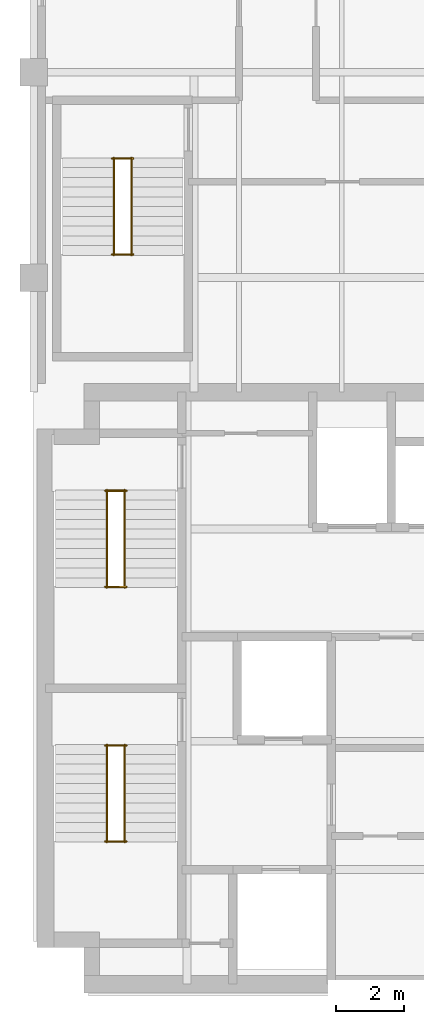
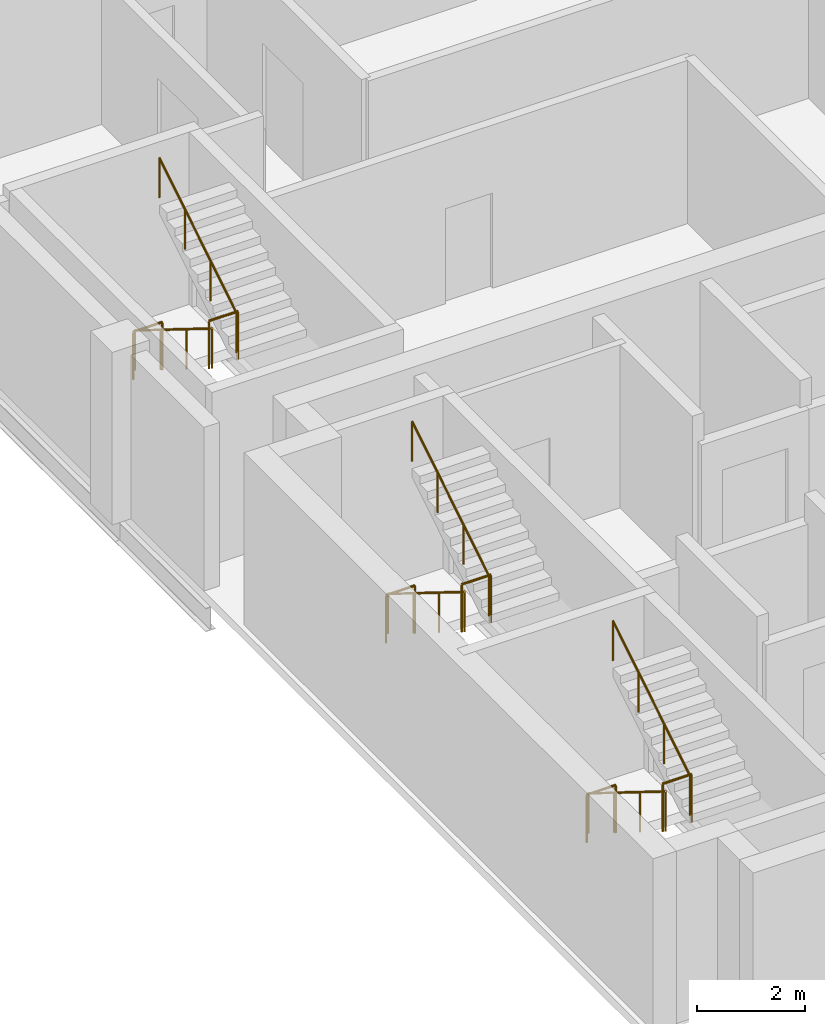
# One storey, part 6 of 6: 12 railings.
"""IFC4 building model written with IfcOpenShell, lengths in metres."""

from ifc_helpers import new_model, si_unit, direction, frame, origin, origin_2d, place, context, subcontext, project, spatial, circle, extrude, material, type_object, element, save


model = new_model("IFC4")

# Units and contexts
model_context = context("Model", 3, precision=1e-05, world=origin(), true_north=direction((0.0, 1.0)))
body_context = subcontext(model_context, "Body", "Model", "MODEL_VIEW")
ifc_project = project(units=[si_unit("LENGTHUNIT", "METRE"), si_unit("AREAUNIT", "SQUARE_METRE"), si_unit("VOLUMEUNIT", "CUBIC_METRE"), si_unit("PLANEANGLEUNIT", "RADIAN"), si_unit("MASSUNIT", "GRAM", prefix="KILO")], contexts=[model_context])

# Site, building, storey
site_placement = place(None, origin())
site = spatial("IfcSite", under=ifc_project, at=site_placement, CompositionType="ELEMENT")
building_placement = place(site_placement, origin())
building = spatial("IfcBuilding", under=site, at=building_placement, Name="Mawjdan Bourse Tower", CompositionType="ELEMENT")
storey_placement = place(building_placement, frame((0.0, 0.0, 243.0)))
storey = spatial("IfcBuildingStorey", under=building, at=storey_placement, Name="L59", CompositionType="ELEMENT", Elevation=243.0)

# Railings
ifc_material_1 = material(Name="Structural Steel S355", Category="steel")
railing_type_1 = type_object("IfcRailingType", Name="RLG-GRD-1100", PredefinedType="GUARDRAIL", material=ifc_material_1)
for number, where, name in (
    (1, (8.090087890625, 7.52001953125, 1.949951171875), "L59 ST1 Landing Guardrail GL-MID"),
    (2, (8.090087890625, 10.330078125, 0.0), "L59 ST1 Landing Guardrail GL-BOT"),
    (3, (8.090087890625, 14.9599609375, 1.949951171875), "L59 ST2 Landing Guardrail GL-MID"),
    (4, (8.090087890625, 17.77001953125, 0.0), "L59 ST2 Landing Guardrail GL-BOT"),
    (5, (8.2900390625, 24.669921875, 1.949951171875), "L59 ST3 Landing Guardrail GL-MID"),
    (6, (8.2900390625, 27.47998046875, 0.0), "L59 ST3 Landing Guardrail GL-BOT"),
):
    element("IfcRailing", number, at=place(storey_placement, frame(where)), inside=storey, type_object=railing_type_1, Name=name, PredefinedType="GUARDRAIL", context=body_context, shape_type="SweptSolid", body=[
        extrude(circle(Radius=0.02490234375, at=origin_2d()), frame((0.0, 0.0, 1.0751953125), z_axis=(1.0, 0.0, 0.0), x_axis=(0.0, 1.0, 0.0)), (0.0, 0.0, 1.0), 0.619873046875),
        extrude(circle(Radius=0.02099609375, at=origin_2d()), origin(), (0.0, 0.0, 1.0), 1.050048828125),
        extrude(circle(Radius=0.02099609375, at=origin_2d()), frame((0.619873046875, 0.0, 0.0)), (0.0, 0.0, 1.0), 1.050048828125),
    ])
ifc_material_2 = material(Name="Brushed Stainless Steel", Category="steel")
railing_type_2 = type_object("IfcRailingType", Name="RLG-HND-920", PredefinedType="HANDRAIL", material=ifc_material_2)
railing_1_placement = place(storey_placement, frame((8.139892578125, 10.35009765625, 0.17724609375)))
element("IfcRailing", 7, at=railing_1_placement, inside=storey, type_object=railing_type_2, Name="L59 ST1 Flight Handrail HR1", PredefinedType="HANDRAIL", context=body_context, shape_type="SweptSolid", body=[
    extrude(circle(Radius=0.0224609375, at=origin_2d()), frame((0.0, 0.0, 0.8974609375), z_axis=(0.0, -0.849148672731, 0.528153890072), x_axis=(1.0, 0.0, 0.0)), (0.0, 0.0, 1.0), 3.3564453125),
    extrude(circle(Radius=0.01904296875, at=origin_2d()), origin(), (0.0, 0.0, 1.0), 0.875),
    extrude(circle(Radius=0.01904296875, at=origin_2d()), frame((0.0, -0.949951171875, 0.5908203125)), (0.0, 0.0, 1.0), 0.875),
    extrude(circle(Radius=0.01904296875, at=origin_2d()), frame((0.0, -1.900146484375, 1.181884765625)), (0.0, 0.0, 1.0), 0.875),
    extrude(circle(Radius=0.01904296875, at=origin_2d()), frame((0.0, -2.85009765625, 1.772705078125)), (0.0, 0.0, 1.0), 0.875),
])
railing_2_placement = place(storey_placement, frame((8.659912109375, 7.5, 2.127197265625)))
element("IfcRailing", 8, at=railing_2_placement, inside=storey, type_object=railing_type_2, Name="L59 ST1 Flight Handrail HR2", PredefinedType="HANDRAIL", context=body_context, shape_type="SweptSolid", body=[
    extrude(circle(Radius=0.0224609375, at=origin_2d()), frame((0.0, 0.0, 0.8974609375), z_axis=(0.0, 0.849148672731, 0.528153890072), x_axis=(-1.0, 0.0, 0.0)), (0.0, 0.0, 1.0), 3.3564453125),
    extrude(circle(Radius=0.01904296875, at=origin_2d()), origin(), (0.0, 0.0, 1.0), 0.875),
    extrude(circle(Radius=0.01904296875, at=origin_2d()), frame((0.0, 0.949951171875, 0.5908203125)), (0.0, 0.0, 1.0), 0.875),
    extrude(circle(Radius=0.01904296875, at=origin_2d()), frame((0.0, 1.900146484375, 1.181884765625)), (0.0, 0.0, 1.0), 0.875),
    extrude(circle(Radius=0.01904296875, at=origin_2d()), frame((0.0, 2.85009765625, 1.772705078125)), (0.0, 0.0, 1.0), 0.875),
])
railing_3_placement = place(storey_placement, frame((8.139892578125, 17.7900390625, 0.17724609375)))
element("IfcRailing", 9, at=railing_3_placement, inside=storey, type_object=railing_type_2, Name="L59 ST2 Flight Handrail HR1", PredefinedType="HANDRAIL", context=body_context, shape_type="SweptSolid", body=[
    extrude(circle(Radius=0.0224609375, at=origin_2d()), frame((0.0, 0.0, 0.8974609375), z_axis=(0.0, -0.849148672731, 0.528153890072), x_axis=(1.0, 0.0, 0.0)), (0.0, 0.0, 1.0), 3.3564453125),
    extrude(circle(Radius=0.01904296875, at=origin_2d()), origin(), (0.0, 0.0, 1.0), 0.875),
    extrude(circle(Radius=0.01904296875, at=origin_2d()), frame((0.0, -0.949951171875, 0.5908203125)), (0.0, 0.0, 1.0), 0.875),
    extrude(circle(Radius=0.01904296875, at=origin_2d()), frame((0.0, -1.900146484375, 1.181884765625)), (0.0, 0.0, 1.0), 0.875),
    extrude(circle(Radius=0.01904296875, at=origin_2d()), frame((0.0, -2.85009765625, 1.772705078125)), (0.0, 0.0, 1.0), 0.875),
])
railing_4_placement = place(storey_placement, frame((8.659912109375, 14.93994140625, 2.127197265625)))
element("IfcRailing", 10, at=railing_4_placement, inside=storey, type_object=railing_type_2, Name="L59 ST2 Flight Handrail HR2", PredefinedType="HANDRAIL", context=body_context, shape_type="SweptSolid", body=[
    extrude(circle(Radius=0.0224609375, at=origin_2d()), frame((0.0, 0.0, 0.8974609375), z_axis=(0.0, 0.849148672731, 0.528153890072), x_axis=(-1.0, 0.0, 0.0)), (0.0, 0.0, 1.0), 3.3564453125),
    extrude(circle(Radius=0.01904296875, at=origin_2d()), origin(), (0.0, 0.0, 1.0), 0.875),
    extrude(circle(Radius=0.01904296875, at=origin_2d()), frame((0.0, 0.949951171875, 0.5908203125)), (0.0, 0.0, 1.0), 0.875),
    extrude(circle(Radius=0.01904296875, at=origin_2d()), frame((0.0, 1.900146484375, 1.181884765625)), (0.0, 0.0, 1.0), 0.875),
    extrude(circle(Radius=0.01904296875, at=origin_2d()), frame((0.0, 2.85009765625, 1.772705078125)), (0.0, 0.0, 1.0), 0.875),
])
railing_5_placement = place(storey_placement, frame((8.340087890625, 27.5, 0.17724609375)))
element("IfcRailing", 11, at=railing_5_placement, inside=storey, type_object=railing_type_2, Name="L59 ST3 Flight Handrail HR1", PredefinedType="HANDRAIL", context=body_context, shape_type="SweptSolid", body=[
    extrude(circle(Radius=0.0224609375, at=origin_2d()), frame((0.0, 0.0, 0.8974609375), z_axis=(0.0, -0.849148672731, 0.528153890072), x_axis=(1.0, 0.0, 0.0)), (0.0, 0.0, 1.0), 3.3564453125),
    extrude(circle(Radius=0.01904296875, at=origin_2d()), origin(), (0.0, 0.0, 1.0), 0.875),
    extrude(circle(Radius=0.01904296875, at=origin_2d()), frame((0.0, -0.949951171875, 0.5908203125)), (0.0, 0.0, 1.0), 0.875),
    extrude(circle(Radius=0.01904296875, at=origin_2d()), frame((0.0, -1.900146484375, 1.181884765625)), (0.0, 0.0, 1.0), 0.875),
    extrude(circle(Radius=0.01904296875, at=origin_2d()), frame((0.0, -2.85009765625, 1.772705078125)), (0.0, 0.0, 1.0), 0.875),
])
railing_6_placement = place(storey_placement, frame((8.860107421875, 24.64990234375, 2.127197265625)))
element("IfcRailing", 12, at=railing_6_placement, inside=storey, type_object=railing_type_2, Name="L59 ST3 Flight Handrail HR2", PredefinedType="HANDRAIL", context=body_context, shape_type="SweptSolid", body=[
    extrude(circle(Radius=0.0224609375, at=origin_2d()), frame((0.0, 0.0, 0.8974609375), z_axis=(0.0, 0.849148672731, 0.528153890072), x_axis=(-1.0, 0.0, 0.0)), (0.0, 0.0, 1.0), 3.3564453125),
    extrude(circle(Radius=0.01904296875, at=origin_2d()), origin(), (0.0, 0.0, 1.0), 0.875),
    extrude(circle(Radius=0.01904296875, at=origin_2d()), frame((0.0, 0.949951171875, 0.5908203125)), (0.0, 0.0, 1.0), 0.875),
    extrude(circle(Radius=0.01904296875, at=origin_2d()), frame((0.0, 1.900146484375, 1.181884765625)), (0.0, 0.0, 1.0), 0.875),
    extrude(circle(Radius=0.01904296875, at=origin_2d()), frame((0.0, 2.85009765625, 1.772705078125)), (0.0, 0.0, 1.0), 0.875),
])

save(model, "model.ifc")
